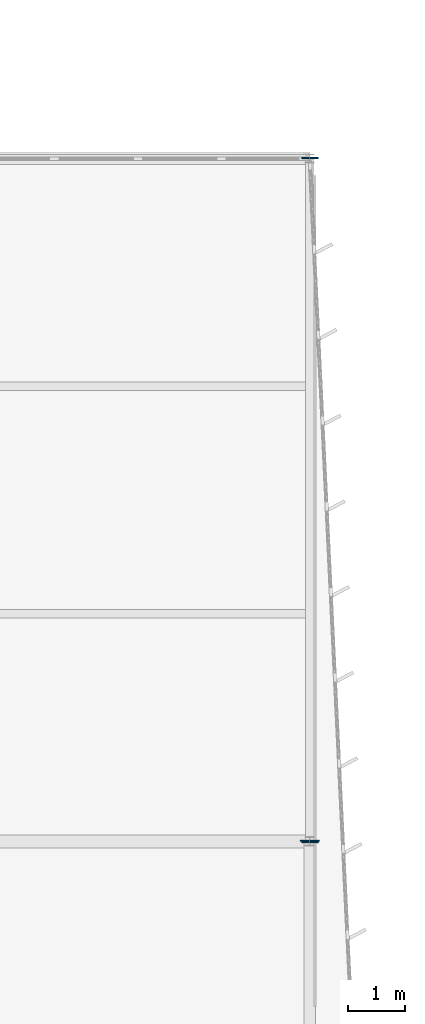
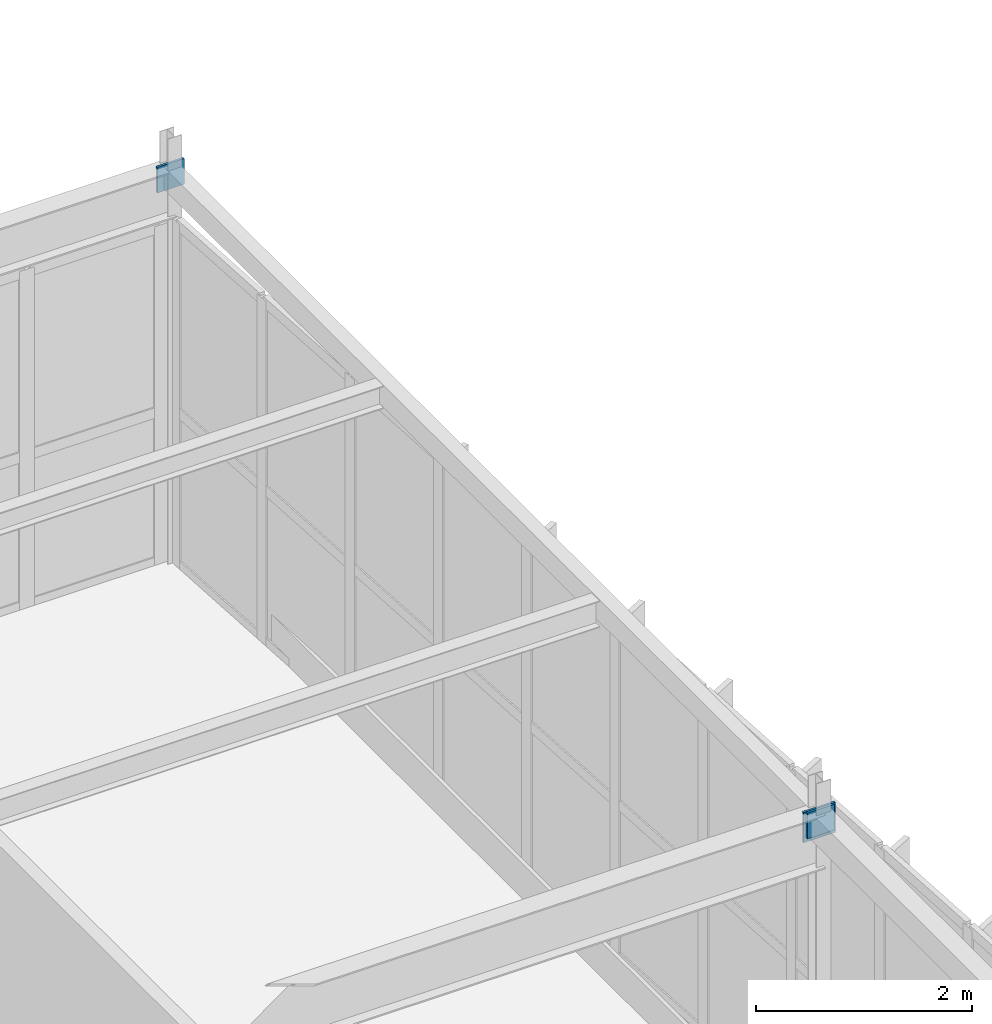
# One storey, part 149 of 186: 3 plates.
"""IFC4 building model written with IfcOpenShell, lengths in metres."""

from ifc_helpers import new_model, si_unit, direction, frame, origin, origin_2d, place, context, subcontext, project, spatial, rectangle, extrude, material, layer, layer_set, type_object, element, save


model = new_model("IFC4")

# Units and contexts
model_context = context("Model", 3, precision=1e-05, world=origin(), true_north=direction((0.0, 1.0)))
body_context = subcontext(model_context, "Body", "Model", "MODEL_VIEW")
ifc_project = project(units=[si_unit("LENGTHUNIT", "METRE"), si_unit("AREAUNIT", "SQUARE_METRE"), si_unit("VOLUMEUNIT", "CUBIC_METRE"), si_unit("PLANEANGLEUNIT", "RADIAN"), si_unit("MASSUNIT", "GRAM", prefix="KILO")], contexts=[model_context])

# Site, building, storey
site_placement = place(None, origin())
site = spatial("IfcSite", under=ifc_project, at=site_placement, CompositionType="ELEMENT")
building_placement = place(site_placement, origin())
building = spatial("IfcBuilding", under=site, at=building_placement, Name="Tarnwether General Hospital", CompositionType="ELEMENT")
storey_placement = place(building_placement, frame((0.0, 0.0, 9.60009765625)))
storey = spatial("IfcBuildingStorey", under=building, at=storey_placement, Name="L02", CompositionType="ELEMENT", Elevation=9.60009765625)

# Plates
ifc_material = material(Name="Steel Grade 350 (350 MPa)", Category="steel")
ifc_layer = layer(ifc_material, 0.02490234375)
ifc_layer_set = layer_set([ifc_layer], Name="Steel Grade 350 (350 MPa)")
plate_type = type_object("IfcPlateType", Name="PT-GUS2", PredefinedType="USERDEFINED", material=ifc_layer_set)
plate_placement = place(storey_placement, frame((192.0, 33.612548828125, 4.11962890625), z_axis=(0.0, 0.0, 1.0), x_axis=(0.0, 1.0, 0.0)))
element("IfcPlate", 1, at=plate_placement, inside=storey, type_object=plate_type, Name="Hollow Section Welded End Cap Plate 0976", ObjectType="GUSSET", PredefinedType="USERDEFINED", context=body_context, shape_type="SweptSolid", body=[
    extrude(rectangle(XDim=0.02490234375, YDim=0.340087890625, at=origin_2d()), origin(), (0.0, 0.0, 1.0), 0.340087890625),
])
for number, where, z_axis, x_axis, name in (
    (2, (192.0, 33.58740234375, 4.169921875), (0.0, 0.0, 1.0), (0.0, 1.0, 0.0), "Hollow Section Welded End Cap Plate 0977"),
    (3, (192.0, 45.612548828125, 4.169921875), (0.0, 0.0, 1.0), (0.0, 1.0, 0.0), "Hollow Section Welded End Cap Plate 0978"),
):
    element("IfcPlate", number, at=place(storey_placement, frame(where, z_axis=z_axis, x_axis=x_axis)), inside=storey, type_object=plate_type, Name=name, ObjectType="GUSSET", PredefinedType="USERDEFINED", context=body_context, shape_type="SweptSolid", body=[
        extrude(rectangle(XDim=0.02490234375, YDim=0.2900390625, at=origin_2d()), origin(), (0.0, 0.0, 1.0), 0.2900390625),
    ])

save(model, "model.ifc")
